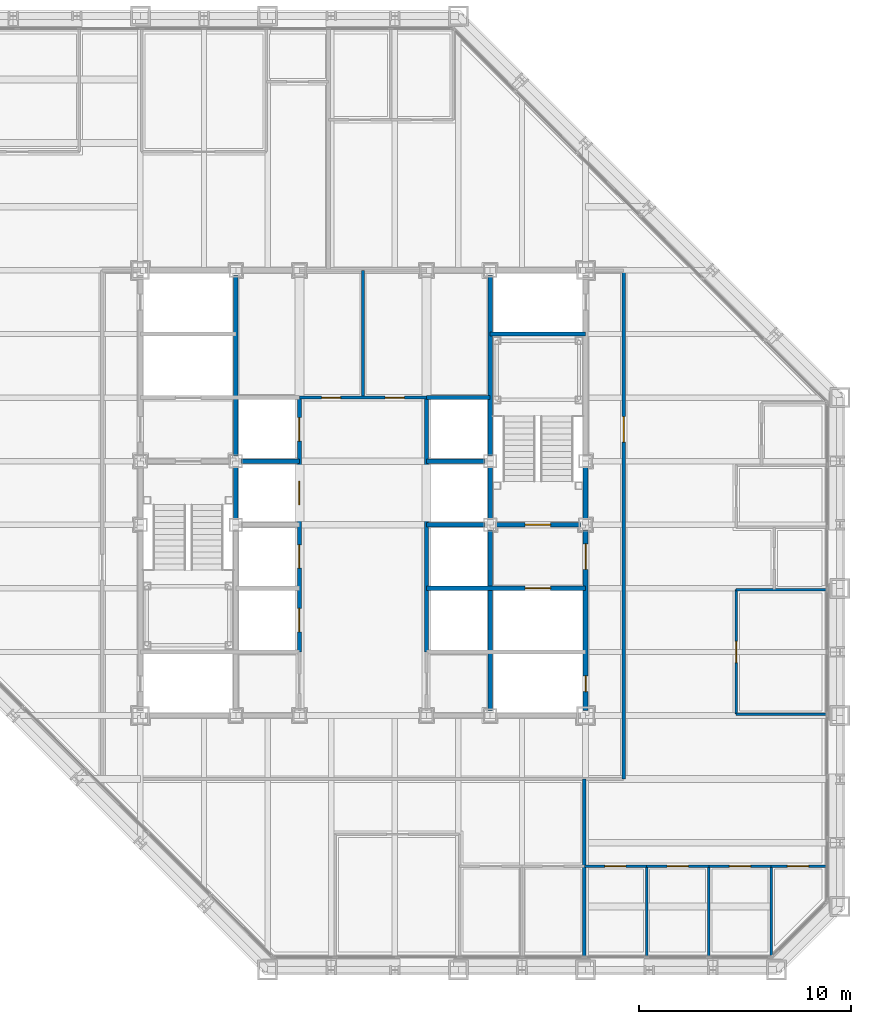
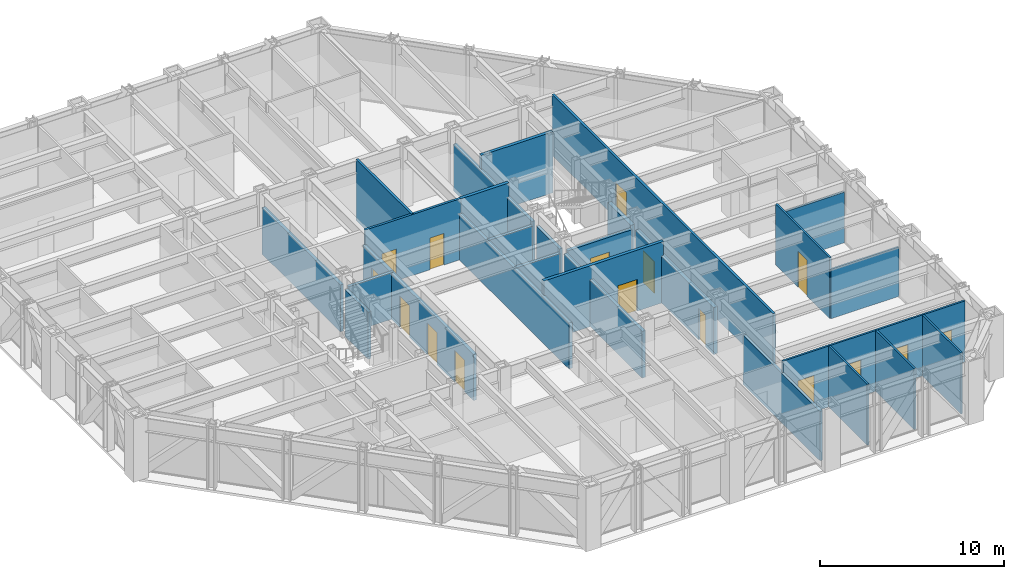
# One storey, part 11 of 16: 30 walls, 16 doors, 16 openings.
"""IFC4 building model written with IfcOpenShell, lengths in metres."""

from ifc_helpers import new_model, si_unit, direction, frame, frame_2d, origin, place, context, subcontext, project, spatial, rectangle, extrude, material, layer, layer_set, type_object, element, fill, save


model = new_model("IFC4")

# Units and contexts
model_context = context("Model", 3, precision=1e-05, world=origin(), true_north=direction((0.0, 1.0)))
body_context = subcontext(model_context, "Body", "Model", "MODEL_VIEW")
ifc_project = project(units=[si_unit("LENGTHUNIT", "METRE"), si_unit("AREAUNIT", "SQUARE_METRE"), si_unit("VOLUMEUNIT", "CUBIC_METRE"), si_unit("PLANEANGLEUNIT", "RADIAN"), si_unit("MASSUNIT", "GRAM", prefix="KILO")], contexts=[model_context])

# Site, building, storey
site_placement = place(None, origin())
site = spatial("IfcSite", under=ifc_project, at=site_placement, CompositionType="ELEMENT")
building_placement = place(site_placement, origin())
building = spatial("IfcBuilding", under=site, at=building_placement, Name="Chuquiago Exchange Tower", CompositionType="ELEMENT")
storey_placement = place(building_placement, frame((0.0, 0.0, 161.39990234375)))
storey = spatial("IfcBuildingStorey", under=building, at=storey_placement, Name="L35", CompositionType="ELEMENT", Elevation=161.39990234375)

# Wall, openings, doors
ifc_material_1 = material(Name="Concrete masonry, fully grouted", Category="masonry")
ifc_layer_1 = layer(ifc_material_1, 0.25)
ifc_layer_set_1 = layer_set([ifc_layer_1], Name="W1 core wall 250")
wall_type_1 = type_object("IfcWallType", Name="W1 core wall 250", PredefinedType="SOLIDWALL", material=ifc_layer_set_1)
wall_1_placement = place(storey_placement, frame((33.0, 12.25, 0.0), z_axis=(0.0, 0.0, 1.0), x_axis=(0.0, 1.0, 0.0)))
wall_1 = element("IfcWall", 1, at=wall_1_placement, inside=storey, type_object=wall_type_1, Name="CW-L35-25-0", PredefinedType="SOLIDWALL", context=body_context, shape_type="SweptSolid", body=[
    extrude(rectangle(XDim=8.5, YDim=0.25, at=frame_2d((4.25, 0.0))), origin(), (0.0, 0.0, 1.0), 3.113037109375),
])
opening_1_placement = place(wall_1_placement, frame((6.64990234375, 0.0, 0.0)))
opening_1 = element("IfcOpeningElement", 2, at=opening_1_placement, cuts=wall_1, Name="Opening L35-004", PredefinedType="OPENING", context=body_context, shape_type="SweptSolid", body=[
    extrude(rectangle(XDim=1.199951171875, YDim=2.10009765625, at=frame_2d((0.60009765625, 1.050048828125))), frame((0.0, 0.135009765625, 0.0), z_axis=(0.0, -1.0, 0.0), x_axis=(1.0, 0.0, 0.0)), (0.0, 0.0, 1.0), 0.27001953125),
])
opening_2_placement = place(wall_1_placement, frame((0.875, 0.0, 0.0)))
opening_2 = element("IfcOpeningElement", 3, at=opening_2_placement, cuts=wall_1, Name="Opening L35-009", PredefinedType="OPENING", context=body_context, shape_type="SweptSolid", body=[
    extrude(rectangle(XDim=0.75, YDim=2.10009765625, at=frame_2d((0.375, 1.050048828125))), frame((0.0, 0.135009765625, 0.0), z_axis=(0.0, -1.0, 0.0), x_axis=(1.0, 0.0, 0.0)), (0.0, 0.0, 1.0), 0.27001953125),
])
ifc_material_2 = material(Name="Steel door, painted", Category="steel")
door_type_1 = type_object("IfcDoorType", Name="D5 firefighting lobby door 1200x2100", OperationType="SINGLE_SWING_LEFT", PredefinedType="DOOR", material=ifc_material_2)
door_1_placement = place(opening_1_placement, origin())
door_1 = element("IfcDoor", 4, at=door_1_placement, inside=storey, type_object=door_type_1, Name="Firefighting lobby 2 door", OperationType="SINGLE_SWING_RIGHT", OverallHeight=2.10009765625, OverallWidth=1.199951171875, PredefinedType="DOOR", context=body_context, shape_type="SweptSolid", body=[
    extrude(rectangle(XDim=1.199951171875, YDim=2.10009765625, at=frame_2d((0.60009765625, 1.050048828125))), frame((0.0, 0.02490234375, 0.0), z_axis=(0.0, -1.0, 0.0), x_axis=(1.0, 0.0, 0.0)), (0.0, 0.0, 1.0), 0.050048828125),
])
fill(opening_1, door_1)
ifc_material_3 = material(Name="Steel door, painted", Category="steel")
door_type_2 = type_object("IfcDoorType", Name="D6 riser access door 750x2100", OperationType="SINGLE_SWING_LEFT", PredefinedType="DOOR", material=ifc_material_3)
door_2_placement = place(opening_2_placement, origin())
door_2 = element("IfcDoor", 5, at=door_2_placement, inside=storey, type_object=door_type_2, Name="Riser RE1 door", OperationType="SINGLE_SWING_LEFT", OverallHeight=2.10009765625, OverallWidth=0.75, PredefinedType="DOOR", context=body_context, shape_type="SweptSolid", body=[
    extrude(rectangle(XDim=0.75, YDim=2.10009765625, at=frame_2d((0.375, 1.050048828125))), frame((0.0, 0.02490234375, 0.0), z_axis=(0.0, -1.0, 0.0), x_axis=(1.0, 0.0, 0.0)), (0.0, 0.0, 1.0), 0.050048828125),
])
fill(opening_2, door_2)

# Wall
wall_2_placement = place(storey_placement, frame((33.0, 21.25, 0.0), z_axis=(0.0, 0.0, 1.0), x_axis=(0.0, 1.0, 0.0)))
element("IfcWall", 6, at=wall_2_placement, inside=storey, type_object=wall_type_1, Name="CW-L35-25-1", PredefinedType="SOLIDWALL", context=body_context, shape_type="SweptSolid", body=[
    extrude(rectangle(XDim=2.5, YDim=0.25, at=frame_2d((1.25, 0.0))), origin(), (0.0, 0.0, 1.0), 3.113037109375),
])

# Wall, opening, door
ifc_material_4 = material(Name="Gypsum board on steel studs, acoustic insulation", Category="steel")
ifc_layer_2 = layer(ifc_material_4, 0.14990234375)
ifc_layer_set_2 = layer_set([ifc_layer_2], Name="W11 corridor wall 150")
wall_type_2 = type_object("IfcWallType", Name="W11 corridor wall 150", PredefinedType="PARTITIONING", material=ifc_layer_set_2)
wall_3_placement = place(storey_placement, frame((34.800048828125, 9.0, 0.0), z_axis=(0.0, 0.0, 1.0), x_axis=(0.0, 1.0, 0.0)))
wall_3 = element("IfcWall", 7, at=wall_3_placement, inside=storey, type_object=wall_type_2, Name="PW-L35-CE", PredefinedType="PARTITIONING", context=body_context, shape_type="SweptSolid", body=[
    extrude(rectangle(XDim=24.0, YDim=0.14990234375, at=frame_2d((12.0, 0.0))), origin(), (0.0, 0.0, 1.0), 4.0400390625),
])
opening_3_placement = place(wall_3_placement, frame((15.89990234375, 0.0, 0.0)))
opening_3 = element("IfcOpeningElement", 8, at=opening_3_placement, cuts=wall_3, Name="Opening L35-041", PredefinedType="OPENING", context=body_context, shape_type="SweptSolid", body=[
    extrude(rectangle(XDim=1.199951171875, YDim=2.39990234375, at=frame_2d((0.60009765625, 1.199951171875))), frame((0.0, 0.0849609375, 0.0), z_axis=(0.0, -1.0, 0.0), x_axis=(1.0, 0.0, 0.0)), (0.0, 0.0, 1.0), 0.169921875),
])
ifc_material_5 = material(Name="Timber door, laminate faced", Category="wood")
door_type_3 = type_object("IfcDoorType", Name="D13 suite entrance door 1200x2400", OperationType="SINGLE_SWING_LEFT", PredefinedType="DOOR", material=ifc_material_5)
door_3_placement = place(opening_3_placement, frame((1.199951171875, 0.0, 0.0), z_axis=(0.0, 0.0, 1.0), x_axis=(-1.0, 0.0, 0.0)))
door_3 = element("IfcDoor", 9, at=door_3_placement, inside=storey, type_object=door_type_3, Name="East suite entrance door", OperationType="SINGLE_SWING_LEFT", OverallHeight=2.39990234375, OverallWidth=1.199951171875, PredefinedType="DOOR", context=body_context, shape_type="SweptSolid", body=[
    extrude(rectangle(XDim=1.199951171875, YDim=2.39990234375, at=frame_2d((0.60009765625, 1.199951171875))), frame((0.0, 0.02490234375, 0.0), z_axis=(0.0, -1.0, 0.0), x_axis=(1.0, 0.0, 0.0)), (0.0, 0.0, 1.0), 0.050048828125),
])
fill(opening_3, door_3)

# Walls
ifc_material_6 = material(Name="Gypsum board on twin steel studs, acoustic insulation", Category="steel")
ifc_layer_3 = layer(ifc_material_6, 0.175048828125)
ifc_layer_set_3 = layer_set([ifc_layer_3], Name="W12 tenant demising wall 175")
wall_type_3 = type_object("IfcWallType", Name="W12 tenant demising wall 175", PredefinedType="PARTITIONING", material=ifc_layer_set_3)
wall_4_placement = place(storey_placement, frame((32.93798828125, 0.652587890625, 0.0), z_axis=(0.0, 0.0, 1.0), x_axis=(0.0, 1.0, 0.0)))
element("IfcWall", 10, at=wall_4_placement, inside=storey, type_object=wall_type_3, Name="PW-L35-DS03294", PredefinedType="PARTITIONING", context=body_context, shape_type="SweptSolid", body=[
    extrude(rectangle(XDim=8.347412109375, YDim=0.175048828125, at=frame_2d((4.173828125, 0.0))), origin(), (0.0, 0.0, 1.0), 3.2705078125),
])
ifc_material_7 = material(Name="Concrete masonry, fully grouted", Category="masonry")
ifc_layer_4 = layer(ifc_material_7, 0.199951171875)
ifc_layer_set_4 = layer_set([ifc_layer_4], Name="W2 shaft wall 200")
wall_type_4 = type_object("IfcWallType", Name="W2 shaft wall 200", PredefinedType="SOLIDWALL", material=ifc_layer_set_4)
for number, where, z_axis, x_axis, name in (
    (11, (16.75, 24.0, 0.0), (0.0, 0.0, 1.0), (1.0, 0.0, 0.0), "CW-L35-05-1"),
    (12, (25.5, 24.0, 0.0), (0.0, 0.0, 1.0), (1.0, 0.0, 0.0), "CW-L35-06-0"),
):
    element("IfcWall", number, at=place(storey_placement, frame(where, z_axis=z_axis, x_axis=x_axis)), inside=storey, type_object=wall_type_4, Name=name, PredefinedType="SOLIDWALL", context=body_context, shape_type="SweptSolid", body=[
        extrude(rectangle(XDim=2.75, YDim=0.199951171875, at=frame_2d((1.375, 0.0))), origin(), (0.0, 0.0, 1.0), 3.090087890625),
    ])
wall_5_placement = place(storey_placement, frame((25.5, 27.0, 0.0), z_axis=(0.0, 0.0, 1.0), x_axis=(1.0, 0.0, 0.0)))
element("IfcWall", 13, at=wall_5_placement, inside=storey, type_object=wall_type_4, Name="CW-L35-08-0", PredefinedType="SOLIDWALL", context=body_context, shape_type="SweptSolid", body=[
    extrude(rectangle(XDim=3.0, YDim=0.199951171875, at=frame_2d((1.5, 0.0))), origin(), (0.0, 0.0, 1.0), 4.0400390625),
])
wall_6_placement = place(storey_placement, frame((28.5, 30.0, 0.0), z_axis=(0.0, 0.0, 1.0), x_axis=(1.0, 0.0, 0.0)))
element("IfcWall", 14, at=wall_6_placement, inside=storey, type_object=wall_type_4, Name="CW-L35-10-0", PredefinedType="SOLIDWALL", context=body_context, shape_type="SweptSolid", body=[
    extrude(rectangle(XDim=4.5, YDim=0.199951171875, at=frame_2d((2.25, 0.0))), origin(), (0.0, 0.0, 1.0), 4.0400390625),
])
wall_7_placement = place(storey_placement, frame((16.5, 21.25, 0.0), z_axis=(0.0, 0.0, 1.0), x_axis=(0.0, 1.0, 0.0)))
element("IfcWall", 15, at=wall_7_placement, inside=storey, type_object=wall_type_4, Name="CW-L35-13-1", PredefinedType="SOLIDWALL", context=body_context, shape_type="SweptSolid", body=[
    extrude(rectangle(XDim=2.5, YDim=0.199951171875, at=frame_2d((1.25, 0.0))), origin(), (0.0, 0.0, 1.0), 3.113037109375),
])
wall_8_placement = place(storey_placement, frame((16.5, 24.25, 0.0), z_axis=(0.0, 0.0, 1.0), x_axis=(0.0, 1.0, 0.0)))
element("IfcWall", 16, at=wall_8_placement, inside=storey, type_object=wall_type_4, Name="CW-L35-13-2", PredefinedType="SOLIDWALL", context=body_context, shape_type="SweptSolid", body=[
    extrude(rectangle(XDim=8.5, YDim=0.199951171875, at=frame_2d((4.25, 0.0))), origin(), (0.0, 0.0, 1.0), 3.113037109375),
])

# Wall, opening, door
wall_9_placement = place(storey_placement, frame((25.5, 18.0, 0.0), z_axis=(0.0, 0.0, 1.0), x_axis=(1.0, 0.0, 0.0)))
wall_9 = element("IfcWall", 17, at=wall_9_placement, inside=storey, type_object=wall_type_4, Name="CW-L35-15-0", PredefinedType="SOLIDWALL", context=body_context, shape_type="SweptSolid", body=[
    extrude(rectangle(XDim=7.5, YDim=0.199951171875, at=frame_2d((3.75, 0.0))), origin(), (0.0, 0.0, 1.0), 4.0400390625),
])
opening_4_placement = place(wall_9_placement, frame((4.64990234375, 0.0, 0.0)))
opening_4 = element("IfcOpeningElement", 18, at=opening_4_placement, cuts=wall_9, Name="Opening L35-006", PredefinedType="OPENING", context=body_context, shape_type="SweptSolid", body=[
    extrude(rectangle(XDim=1.199951171875, YDim=2.10009765625, at=frame_2d((0.60009765625, 1.050048828125))), frame((0.0, 0.10986328125, 0.0), z_axis=(0.0, -1.0, 0.0), x_axis=(1.0, 0.0, 0.0)), (0.0, 0.0, 1.0), 0.219970703125),
])
ifc_material_8 = material(Name="Stainless steel lift landing door", Category="steel")
door_type_4 = type_object("IfcDoorType", Name="LD2 firefighting lift landing door 1200x2100", OperationType="DOUBLE_DOOR_SLIDING", PredefinedType="DOOR", material=ifc_material_8)
door_4_placement = place(opening_4_placement, origin())
door_4 = element("IfcDoor", 19, at=door_4_placement, inside=storey, type_object=door_type_4, Name="Firefighting lift FL2 landing door", OperationType="DOUBLE_DOOR_SLIDING", OverallHeight=2.10009765625, OverallWidth=1.199951171875, PredefinedType="DOOR", context=body_context, shape_type="SweptSolid", body=[
    extrude(rectangle(XDim=1.199951171875, YDim=2.10009765625, at=frame_2d((0.60009765625, 1.050048828125))), frame((0.0, 0.02490234375, 0.0), z_axis=(0.0, -1.0, 0.0), x_axis=(1.0, 0.0, 0.0)), (0.0, 0.0, 1.0), 0.050048828125),
])
fill(opening_4, door_4)

# Wall
wall_10_placement = place(storey_placement, frame((25.5, 21.0, 0.0), z_axis=(0.0, 0.0, 1.0), x_axis=(1.0, 0.0, 0.0)))
element("IfcWall", 20, at=wall_10_placement, inside=storey, type_object=wall_type_4, Name="CW-L35-17-0", PredefinedType="SOLIDWALL", context=body_context, shape_type="SweptSolid", body=[
    extrude(rectangle(XDim=2.75, YDim=0.199951171875, at=frame_2d((1.375, 0.0))), origin(), (0.0, 0.0, 1.0), 3.090087890625),
])

# Wall, opening, door
wall_11_placement = place(storey_placement, frame((28.75, 21.0, 0.0), z_axis=(0.0, 0.0, 1.0), x_axis=(1.0, 0.0, 0.0)))
wall_11 = element("IfcWall", 21, at=wall_11_placement, inside=storey, type_object=wall_type_4, Name="CW-L35-17-1", PredefinedType="SOLIDWALL", context=body_context, shape_type="SweptSolid", body=[
    extrude(rectangle(XDim=4.0, YDim=0.199951171875, at=frame_2d((2.0, 0.0))), origin(), (0.0, 0.0, 1.0), 3.090087890625),
])
opening_5_placement = place(wall_11_placement, frame((1.39990234375, 0.0, 0.0)))
opening_5 = element("IfcOpeningElement", 22, at=opening_5_placement, cuts=wall_11, Name="Opening L35-003", PredefinedType="OPENING", context=body_context, shape_type="SweptSolid", body=[
    extrude(rectangle(XDim=1.199951171875, YDim=2.10009765625, at=frame_2d((0.60009765625, 1.050048828125))), frame((0.0, 0.10986328125, 0.0), z_axis=(0.0, -1.0, 0.0), x_axis=(1.0, 0.0, 0.0)), (0.0, 0.0, 1.0), 0.219970703125),
])
ifc_material_9 = material(Name="Steel door, painted", Category="steel")
door_type_5 = type_object("IfcDoorType", Name="D4 stair door 1200x2100", OperationType="SINGLE_SWING_LEFT", PredefinedType="DOOR", material=ifc_material_9)
door_5_placement = place(opening_5_placement, origin())
door_5 = element("IfcDoor", 23, at=door_5_placement, inside=storey, type_object=door_type_5, Name="Stair ST2 door", OperationType="SINGLE_SWING_LEFT", OverallHeight=2.10009765625, OverallWidth=1.199951171875, PredefinedType="DOOR", context=body_context, shape_type="SweptSolid", body=[
    extrude(rectangle(XDim=1.199951171875, YDim=2.10009765625, at=frame_2d((0.60009765625, 1.050048828125))), frame((0.0, 0.02490234375, 0.0), z_axis=(0.0, -1.0, 0.0), x_axis=(1.0, 0.0, 0.0)), (0.0, 0.0, 1.0), 0.050048828125),
])
fill(opening_5, door_5)

# Wall, openings, doors
wall_12_placement = place(storey_placement, frame((19.5, 15.0, 0.0), z_axis=(0.0, 0.0, 1.0), x_axis=(0.0, 1.0, 0.0)))
wall_12 = element("IfcWall", 24, at=wall_12_placement, inside=storey, type_object=wall_type_4, Name="CW-L35-19-0", PredefinedType="SOLIDWALL", context=body_context, shape_type="SweptSolid", body=[
    extrude(rectangle(XDim=12.0, YDim=0.199951171875, at=frame_2d((6.0, 0.0))), origin(), (0.0, 0.0, 1.0), 3.064697265625),
])
opening_6_placement = place(wall_12_placement, frame((0.949951171875, 0.0, 0.0)))
opening_6 = element("IfcOpeningElement", 25, at=opening_6_placement, cuts=wall_12, Name="Opening L35-015", PredefinedType="OPENING", context=body_context, shape_type="SweptSolid", body=[
    extrude(rectangle(XDim=1.10009765625, YDim=2.10009765625, at=frame_2d((0.550048828125, 1.050048828125))), frame((0.0, 0.10986328125, 0.0), z_axis=(0.0, -1.0, 0.0), x_axis=(1.0, 0.0, 0.0)), (0.0, 0.0, 1.0), 0.219970703125),
])
opening_7_placement = place(wall_12_placement, frame((3.949951171875, 0.0, 0.0)))
opening_7 = element("IfcOpeningElement", 26, at=opening_7_placement, cuts=wall_12, Name="Opening L35-016", PredefinedType="OPENING", context=body_context, shape_type="SweptSolid", body=[
    extrude(rectangle(XDim=1.10009765625, YDim=2.10009765625, at=frame_2d((0.550048828125, 1.050048828125))), frame((0.0, 0.10986328125, 0.0), z_axis=(0.0, -1.0, 0.0), x_axis=(1.0, 0.0, 0.0)), (0.0, 0.0, 1.0), 0.219970703125),
])
opening_8_placement = place(wall_12_placement, frame((6.949951171875, 0.0, 0.0)))
opening_8 = element("IfcOpeningElement", 27, at=opening_8_placement, cuts=wall_12, Name="Opening L35-017", PredefinedType="OPENING", context=body_context, shape_type="SweptSolid", body=[
    extrude(rectangle(XDim=1.10009765625, YDim=2.10009765625, at=frame_2d((0.550048828125, 1.050048828125))), frame((0.0, 0.10986328125, 0.0), z_axis=(0.0, -1.0, 0.0), x_axis=(1.0, 0.0, 0.0)), (0.0, 0.0, 1.0), 0.219970703125),
])
opening_9_placement = place(wall_12_placement, frame((9.949951171875, 0.0, 0.0)))
opening_9 = element("IfcOpeningElement", 28, at=opening_9_placement, cuts=wall_12, Name="Opening L35-018", PredefinedType="OPENING", context=body_context, shape_type="SweptSolid", body=[
    extrude(rectangle(XDim=1.10009765625, YDim=2.10009765625, at=frame_2d((0.550048828125, 1.050048828125))), frame((0.0, 0.10986328125, 0.0), z_axis=(0.0, -1.0, 0.0), x_axis=(1.0, 0.0, 0.0)), (0.0, 0.0, 1.0), 0.219970703125),
])
ifc_material_10 = material(Name="Stainless steel lift landing door", Category="steel")
door_type_6 = type_object("IfcDoorType", Name="LD1 lift landing door 1100x2100", OperationType="DOUBLE_DOOR_SLIDING", PredefinedType="DOOR", material=ifc_material_10)
door_6_placement = place(opening_6_placement, origin())
door_6 = element("IfcDoor", 29, at=door_6_placement, inside=storey, type_object=door_type_6, Name="Lift LB1 landing door", OperationType="DOUBLE_DOOR_SLIDING", OverallHeight=2.10009765625, OverallWidth=1.10009765625, PredefinedType="DOOR", context=body_context, shape_type="SweptSolid", body=[
    extrude(rectangle(XDim=1.10009765625, YDim=2.10009765625, at=frame_2d((0.550048828125, 1.050048828125))), frame((0.0, 0.02490234375, 0.0), z_axis=(0.0, -1.0, 0.0), x_axis=(1.0, 0.0, 0.0)), (0.0, 0.0, 1.0), 0.050048828125),
])
fill(opening_6, door_6)
door_7_placement = place(opening_7_placement, origin())
door_7 = element("IfcDoor", 30, at=door_7_placement, inside=storey, type_object=door_type_6, Name="Lift LB2 landing door", OperationType="DOUBLE_DOOR_SLIDING", OverallHeight=2.10009765625, OverallWidth=1.10009765625, PredefinedType="DOOR", context=body_context, shape_type="SweptSolid", body=[
    extrude(rectangle(XDim=1.10009765625, YDim=2.10009765625, at=frame_2d((0.550048828125, 1.050048828125))), frame((0.0, 0.02490234375, 0.0), z_axis=(0.0, -1.0, 0.0), x_axis=(1.0, 0.0, 0.0)), (0.0, 0.0, 1.0), 0.050048828125),
])
fill(opening_7, door_7)
door_8_placement = place(opening_8_placement, origin())
door_8 = element("IfcDoor", 31, at=door_8_placement, inside=storey, type_object=door_type_6, Name="Lift LB3 landing door", OperationType="DOUBLE_DOOR_SLIDING", OverallHeight=2.10009765625, OverallWidth=1.10009765625, PredefinedType="DOOR", context=body_context, shape_type="SweptSolid", body=[
    extrude(rectangle(XDim=1.10009765625, YDim=2.10009765625, at=frame_2d((0.550048828125, 1.050048828125))), frame((0.0, 0.02490234375, 0.0), z_axis=(0.0, -1.0, 0.0), x_axis=(1.0, 0.0, 0.0)), (0.0, 0.0, 1.0), 0.050048828125),
])
fill(opening_8, door_8)
door_9_placement = place(opening_9_placement, origin())
door_9 = element("IfcDoor", 32, at=door_9_placement, inside=storey, type_object=door_type_6, Name="Lift LB4 landing door", OperationType="DOUBLE_DOOR_SLIDING", OverallHeight=2.10009765625, OverallWidth=1.10009765625, PredefinedType="DOOR", context=body_context, shape_type="SweptSolid", body=[
    extrude(rectangle(XDim=1.10009765625, YDim=2.10009765625, at=frame_2d((0.550048828125, 1.050048828125))), frame((0.0, 0.02490234375, 0.0), z_axis=(0.0, -1.0, 0.0), x_axis=(1.0, 0.0, 0.0)), (0.0, 0.0, 1.0), 0.050048828125),
])
fill(opening_9, door_9)

# Walls
wall_13_placement = place(storey_placement, frame((25.5, 15.0, 0.0), z_axis=(0.0, 0.0, 1.0), x_axis=(0.0, 1.0, 0.0)))
element("IfcWall", 33, at=wall_13_placement, inside=storey, type_object=wall_type_4, Name="CW-L35-22-0", PredefinedType="SOLIDWALL", context=body_context, shape_type="SweptSolid", body=[
    extrude(rectangle(XDim=12.0, YDim=0.199951171875, at=frame_2d((6.0, 0.0))), origin(), (0.0, 0.0, 1.0), 3.064697265625),
])
wall_14_placement = place(storey_placement, frame((28.5, 12.25, 0.0), z_axis=(0.0, 0.0, 1.0), x_axis=(0.0, 1.0, 0.0)))
element("IfcWall", 34, at=wall_14_placement, inside=storey, type_object=wall_type_4, Name="CW-L35-24-0", PredefinedType="SOLIDWALL", context=body_context, shape_type="SweptSolid", body=[
    extrude(rectangle(XDim=8.5, YDim=0.199951171875, at=frame_2d((4.25, 0.0))), origin(), (0.0, 0.0, 1.0), 3.113037109375),
])
wall_15_placement = place(storey_placement, frame((28.5, 21.25, 0.0), z_axis=(0.0, 0.0, 1.0), x_axis=(0.0, 1.0, 0.0)))
element("IfcWall", 35, at=wall_15_placement, inside=storey, type_object=wall_type_4, Name="CW-L35-24-1", PredefinedType="SOLIDWALL", context=body_context, shape_type="SweptSolid", body=[
    extrude(rectangle(XDim=2.5, YDim=0.199951171875, at=frame_2d((1.25, 0.0))), origin(), (0.0, 0.0, 1.0), 3.113037109375),
])
wall_16_placement = place(storey_placement, frame((28.5, 24.25, 0.0), z_axis=(0.0, 0.0, 1.0), x_axis=(0.0, 1.0, 0.0)))
element("IfcWall", 36, at=wall_16_placement, inside=storey, type_object=wall_type_4, Name="CW-L35-24-2", PredefinedType="SOLIDWALL", context=body_context, shape_type="SweptSolid", body=[
    extrude(rectangle(XDim=8.5, YDim=0.199951171875, at=frame_2d((4.25, 0.0))), origin(), (0.0, 0.0, 1.0), 3.113037109375),
])

# Wall, openings, doors
ifc_material_11 = material(Name="Gypsum board on steel studs", Category="steel")
ifc_layer_5 = layer(ifc_material_11, 0.14990234375)
ifc_layer_set_5 = layer_set([ifc_layer_5], Name="W3 core partition 150")
wall_type_5 = type_object("IfcWallType", Name="W3 core partition 150", PredefinedType="PARTITIONING", material=ifc_layer_set_5)
wall_17_placement = place(storey_placement, frame((19.5, 27.0, 0.0), z_axis=(0.0, 0.0, 1.0), x_axis=(1.0, 0.0, 0.0)))
wall_17 = element("IfcWall", 37, at=wall_17_placement, inside=storey, type_object=wall_type_5, Name="CW-L35-TF", PredefinedType="PARTITIONING", context=body_context, shape_type="SweptSolid", body=[
    extrude(rectangle(XDim=6.0, YDim=0.14990234375, at=frame_2d((3.0, 0.0))), origin(), (0.0, 0.0, 1.0), 4.0400390625),
])
opening_10_placement = place(wall_17_placement, frame((1.050048828125, 0.0, 0.0)))
opening_10 = element("IfcOpeningElement", 38, at=opening_10_placement, cuts=wall_17, Name="Opening L35-011", PredefinedType="OPENING", context=body_context, shape_type="SweptSolid", body=[
    extrude(rectangle(XDim=0.89990234375, YDim=2.10009765625, at=frame_2d((0.449951171875, 1.050048828125))), frame((0.0, 0.0849609375, 0.0), z_axis=(0.0, -1.0, 0.0), x_axis=(1.0, 0.0, 0.0)), (0.0, 0.0, 1.0), 0.169921875),
])
opening_11_placement = place(wall_17_placement, frame((4.050048828125, 0.0, 0.0)))
opening_11 = element("IfcOpeningElement", 39, at=opening_11_placement, cuts=wall_17, Name="Opening L35-012", PredefinedType="OPENING", context=body_context, shape_type="SweptSolid", body=[
    extrude(rectangle(XDim=0.89990234375, YDim=2.10009765625, at=frame_2d((0.449951171875, 1.050048828125))), frame((0.0, 0.0849609375, 0.0), z_axis=(0.0, -1.0, 0.0), x_axis=(1.0, 0.0, 0.0)), (0.0, 0.0, 1.0), 0.169921875),
])
ifc_material_12 = material(Name="Timber door, laminate faced", Category="wood")
door_type_7 = type_object("IfcDoorType", Name="D7 toilet door 900x2100", OperationType="SINGLE_SWING_LEFT", PredefinedType="DOOR", material=ifc_material_12)
door_10_placement = place(opening_10_placement, origin())
door_10 = element("IfcDoor", 40, at=door_10_placement, inside=storey, type_object=door_type_7, Name="Male WC door", OperationType="SINGLE_SWING_RIGHT", OverallHeight=2.10009765625, OverallWidth=0.89990234375, PredefinedType="DOOR", context=body_context, shape_type="SweptSolid", body=[
    extrude(rectangle(XDim=0.89990234375, YDim=2.10009765625, at=frame_2d((0.449951171875, 1.050048828125))), frame((0.0, 0.02490234375, 0.0), z_axis=(0.0, -1.0, 0.0), x_axis=(1.0, 0.0, 0.0)), (0.0, 0.0, 1.0), 0.050048828125),
])
fill(opening_10, door_10)
door_11_placement = place(opening_11_placement, origin())
door_11 = element("IfcDoor", 41, at=door_11_placement, inside=storey, type_object=door_type_7, Name="Female WC door", OperationType="SINGLE_SWING_LEFT", OverallHeight=2.10009765625, OverallWidth=0.89990234375, PredefinedType="DOOR", context=body_context, shape_type="SweptSolid", body=[
    extrude(rectangle(XDim=0.89990234375, YDim=2.10009765625, at=frame_2d((0.449951171875, 1.050048828125))), frame((0.0, 0.02490234375, 0.0), z_axis=(0.0, -1.0, 0.0), x_axis=(1.0, 0.0, 0.0)), (0.0, 0.0, 1.0), 0.050048828125),
])
fill(opening_11, door_11)

# Walls
wall_18_placement = place(storey_placement, frame((22.5, 27.0, 0.0), z_axis=(0.0, 0.0, 1.0), x_axis=(0.0, 1.0, 0.0)))
element("IfcWall", 42, at=wall_18_placement, inside=storey, type_object=wall_type_5, Name="CW-L35-TM", PredefinedType="PARTITIONING", context=body_context, shape_type="SweptSolid", body=[
    extrude(rectangle(XDim=6.0, YDim=0.14990234375, at=frame_2d((3.0, 0.0))), origin(), (0.0, 0.0, 1.0), 4.0400390625),
])
ifc_material_13 = material(Name="Gypsum board on steel studs", Category="steel")
ifc_layer_6 = layer(ifc_material_13, 0.1201171875)
ifc_layer_set_6 = layer_set([ifc_layer_6], Name="W4 partition 120")
wall_type_6 = type_object("IfcWallType", Name="W4 partition 120", PredefinedType="PARTITIONING", material=ifc_layer_set_6)
for number, where, z_axis, x_axis, name in (
    (43, (35.875732421875, 0.652587890625, 0.0), (0.0, 0.0, 1.0), (0.0, 1.0, 0.0), "PW-L35-S03588"),
    (44, (38.813720703125, 0.652587890625, 0.0), (0.0, 0.0, 1.0), (0.0, 1.0, 0.0), "PW-L35-S03881"),
):
    element("IfcWall", number, at=place(storey_placement, frame(where, z_axis=z_axis, x_axis=x_axis)), inside=storey, type_object=wall_type_6, Name=name, PredefinedType="PARTITIONING", context=body_context, shape_type="SweptSolid", body=[
        extrude(rectangle(XDim=4.247314453125, YDim=0.1201171875, at=frame_2d((2.12353515625, 0.0))), origin(), (0.0, 0.0, 1.0), 4.0400390625),
    ])
wall_19_placement = place(storey_placement, frame((41.75146484375, 0.666015625, 0.0), z_axis=(0.0, 0.0, 1.0), x_axis=(0.0, 1.0, 0.0)))
element("IfcWall", 45, at=wall_19_placement, inside=storey, type_object=wall_type_6, Name="PW-L35-S04175", PredefinedType="PARTITIONING", context=body_context, shape_type="SweptSolid", body=[
    extrude(rectangle(XDim=4.23388671875, YDim=0.1201171875, at=frame_2d((2.116943359375, 0.0))), origin(), (0.0, 0.0, 1.0), 4.0400390625),
])

# Wall, opening, door
wall_20_placement = place(storey_placement, frame((32.93798828125, 4.89990234375, 0.0), z_axis=(0.0, 0.0, 1.0), x_axis=(1.0, 0.0, 0.0)))
wall_20 = element("IfcWall", 46, at=wall_20_placement, inside=storey, type_object=wall_type_6, Name="PW-L35-SF03294", PredefinedType="PARTITIONING", context=body_context, shape_type="SweptSolid", body=[
    extrude(rectangle(XDim=2.937744140625, YDim=0.1201171875, at=frame_2d((1.46875, 0.0))), origin(), (0.0, 0.0, 1.0), 4.0400390625),
])
opening_12_placement = place(wall_20_placement, frame((0.968994140625, 0.0, 0.0)))
opening_12 = element("IfcOpeningElement", 47, at=opening_12_placement, cuts=wall_20, Name="Opening L35-022", PredefinedType="OPENING", context=body_context, shape_type="SweptSolid", body=[
    extrude(rectangle(XDim=1.0, YDim=2.39990234375, at=frame_2d((0.5, 1.199951171875))), frame((0.0, 0.070068359375, 0.0), z_axis=(0.0, -1.0, 0.0), x_axis=(1.0, 0.0, 0.0)), (0.0, 0.0, 1.0), 0.14013671875),
])
ifc_material_14 = material(Name="Timber door, laminate faced", Category="wood")
door_type_8 = type_object("IfcDoorType", Name="D9 room door 1000x2400", OperationType="SINGLE_SWING_LEFT", PredefinedType="DOOR", material=ifc_material_14)
door_12_placement = place(opening_12_placement, frame((1.0, 0.0, 0.0), z_axis=(0.0, 0.0, 1.0), x_axis=(-1.0, 0.0, 0.0)))
door_12 = element("IfcDoor", 48, at=door_12_placement, inside=storey, type_object=door_type_8, Name="Office door", OperationType="SINGLE_SWING_RIGHT", OverallHeight=2.39990234375, OverallWidth=1.0, PredefinedType="DOOR", context=body_context, shape_type="SweptSolid", body=[
    extrude(rectangle(XDim=1.0, YDim=2.39990234375, at=frame_2d((0.5, 1.199951171875))), frame((0.0, 0.02490234375, 0.0), z_axis=(0.0, -1.0, 0.0), x_axis=(1.0, 0.0, 0.0)), (0.0, 0.0, 1.0), 0.050048828125),
])
fill(opening_12, door_12)

wall_21_placement = place(storey_placement, frame((35.875732421875, 4.89990234375, 0.0), z_axis=(0.0, 0.0, 1.0), x_axis=(1.0, 0.0, 0.0)))
wall_21 = element("IfcWall", 49, at=wall_21_placement, inside=storey, type_object=wall_type_6, Name="PW-L35-SF03588", PredefinedType="PARTITIONING", context=body_context, shape_type="SweptSolid", body=[
    extrude(rectangle(XDim=2.93798828125, YDim=0.1201171875, at=frame_2d((1.468994140625, 0.0))), origin(), (0.0, 0.0, 1.0), 4.0400390625),
])
opening_13_placement = place(wall_21_placement, frame((0.968994140625, 0.0, 0.0)))
opening_13 = element("IfcOpeningElement", 50, at=opening_13_placement, cuts=wall_21, Name="Opening L35-023", PredefinedType="OPENING", context=body_context, shape_type="SweptSolid", body=[
    extrude(rectangle(XDim=1.0, YDim=2.39990234375, at=frame_2d((0.5, 1.199951171875))), frame((0.0, 0.070068359375, 0.0), z_axis=(0.0, -1.0, 0.0), x_axis=(1.0, 0.0, 0.0)), (0.0, 0.0, 1.0), 0.14013671875),
])
door_13_placement = place(opening_13_placement, frame((1.0, 0.0, 0.0), z_axis=(0.0, 0.0, 1.0), x_axis=(-1.0, 0.0, 0.0)))
door_13 = element("IfcDoor", 51, at=door_13_placement, inside=storey, type_object=door_type_8, Name="Office door", OperationType="SINGLE_SWING_RIGHT", OverallHeight=2.39990234375, OverallWidth=1.0, PredefinedType="DOOR", context=body_context, shape_type="SweptSolid", body=[
    extrude(rectangle(XDim=1.0, YDim=2.39990234375, at=frame_2d((0.5, 1.199951171875))), frame((0.0, 0.02490234375, 0.0), z_axis=(0.0, -1.0, 0.0), x_axis=(1.0, 0.0, 0.0)), (0.0, 0.0, 1.0), 0.050048828125),
])
fill(opening_13, door_13)

wall_22_placement = place(storey_placement, frame((38.813720703125, 4.89990234375, 0.0), z_axis=(0.0, 0.0, 1.0), x_axis=(1.0, 0.0, 0.0)))
wall_22 = element("IfcWall", 52, at=wall_22_placement, inside=storey, type_object=wall_type_6, Name="PW-L35-SF03881", PredefinedType="PARTITIONING", context=body_context, shape_type="SweptSolid", body=[
    extrude(rectangle(XDim=2.937744140625, YDim=0.1201171875, at=frame_2d((1.46875, 0.0))), origin(), (0.0, 0.0, 1.0), 4.0400390625),
])
opening_14_placement = place(wall_22_placement, frame((0.968994140625, 0.0, 0.0)))
opening_14 = element("IfcOpeningElement", 53, at=opening_14_placement, cuts=wall_22, Name="Opening L35-024", PredefinedType="OPENING", context=body_context, shape_type="SweptSolid", body=[
    extrude(rectangle(XDim=1.0, YDim=2.39990234375, at=frame_2d((0.5, 1.199951171875))), frame((0.0, 0.070068359375, 0.0), z_axis=(0.0, -1.0, 0.0), x_axis=(1.0, 0.0, 0.0)), (0.0, 0.0, 1.0), 0.14013671875),
])
door_14_placement = place(opening_14_placement, frame((1.0, 0.0, 0.0), z_axis=(0.0, 0.0, 1.0), x_axis=(-1.0, 0.0, 0.0)))
door_14 = element("IfcDoor", 54, at=door_14_placement, inside=storey, type_object=door_type_8, Name="Office door", OperationType="SINGLE_SWING_RIGHT", OverallHeight=2.39990234375, OverallWidth=1.0, PredefinedType="DOOR", context=body_context, shape_type="SweptSolid", body=[
    extrude(rectangle(XDim=1.0, YDim=2.39990234375, at=frame_2d((0.5, 1.199951171875))), frame((0.0, 0.02490234375, 0.0), z_axis=(0.0, -1.0, 0.0), x_axis=(1.0, 0.0, 0.0)), (0.0, 0.0, 1.0), 0.050048828125),
])
fill(opening_14, door_14)

wall_23_placement = place(storey_placement, frame((41.75146484375, 4.89990234375, 0.0), z_axis=(0.0, 0.0, 1.0), x_axis=(1.0, 0.0, 0.0)))
wall_23 = element("IfcWall", 55, at=wall_23_placement, inside=storey, type_object=wall_type_6, Name="PW-L35-SF04175", PredefinedType="PARTITIONING", context=body_context, shape_type="SweptSolid", body=[
    extrude(rectangle(XDim=2.616455078125, YDim=0.1201171875, at=frame_2d((1.30810546875, 0.0))), origin(), (0.0, 0.0, 1.0), 4.0400390625),
])
opening_15_placement = place(wall_23_placement, frame((0.774169921875, 0.0, 0.0)))
opening_15 = element("IfcOpeningElement", 56, at=opening_15_placement, cuts=wall_23, Name="Opening L35-025", PredefinedType="OPENING", context=body_context, shape_type="SweptSolid", body=[
    extrude(rectangle(XDim=1.0, YDim=2.39990234375, at=frame_2d((0.5, 1.199951171875))), frame((0.0, 0.070068359375, 0.0), z_axis=(0.0, -1.0, 0.0), x_axis=(1.0, 0.0, 0.0)), (0.0, 0.0, 1.0), 0.14013671875),
])
ifc_material_15 = material(Name="Timber frame door, full height glazed panel", Category="wood")
door_type_9 = type_object("IfcDoorType", Name="D14 glazed meeting room door 1000x2400", OperationType="SINGLE_SWING_LEFT", PredefinedType="DOOR", material=ifc_material_15)
door_15_placement = place(opening_15_placement, frame((1.0, 0.0, 0.0), z_axis=(0.0, 0.0, 1.0), x_axis=(-1.0, 0.0, 0.0)))
door_15 = element("IfcDoor", 57, at=door_15_placement, inside=storey, type_object=door_type_9, Name="Meeting room door", OperationType="SINGLE_SWING_RIGHT", OverallHeight=2.39990234375, OverallWidth=1.0, PredefinedType="DOOR", context=body_context, shape_type="SweptSolid", body=[
    extrude(rectangle(XDim=1.0, YDim=2.39990234375, at=frame_2d((0.5, 1.199951171875))), frame((0.0, 0.02490234375, 0.0), z_axis=(0.0, -1.0, 0.0), x_axis=(1.0, 0.0, 0.0)), (0.0, 0.0, 1.0), 0.050048828125),
])
fill(opening_15, door_15)

# Walls
wall_24_placement = place(storey_placement, frame((44.347412109375, 12.06201171875, 0.0), z_axis=(0.0, 0.0, 1.0), x_axis=(-1.0, 0.0, 0.0)))
element("IfcWall", 58, at=wall_24_placement, inside=storey, type_object=wall_type_6, Name="PW-L35-E01206", PredefinedType="PARTITIONING", context=body_context, shape_type="SweptSolid", body=[
    extrude(rectangle(XDim=4.247314453125, YDim=0.1201171875, at=frame_2d((2.12353515625, 0.0))), origin(), (0.0, 0.0, 1.0), 3.2705078125),
])
wall_25_placement = place(storey_placement, frame((44.347412109375, 17.93798828125, 0.0), z_axis=(0.0, 0.0, 1.0), x_axis=(-1.0, 0.0, 0.0)))
element("IfcWall", 59, at=wall_25_placement, inside=storey, type_object=wall_type_6, Name="PW-L35-E01794", PredefinedType="PARTITIONING", context=body_context, shape_type="SweptSolid", body=[
    extrude(rectangle(XDim=4.247314453125, YDim=0.1201171875, at=frame_2d((2.12353515625, 0.0))), origin(), (0.0, 0.0, 1.0), 3.35693359375),
])

# Wall, opening, door
wall_26_placement = place(storey_placement, frame((40.10009765625, 12.06201171875, 0.0), z_axis=(0.0, 0.0, 1.0), x_axis=(0.0, 1.0, 0.0)))
wall_26 = element("IfcWall", 60, at=wall_26_placement, inside=storey, type_object=wall_type_6, Name="PW-L35-EF01206", PredefinedType="PARTITIONING", context=body_context, shape_type="SweptSolid", body=[
    extrude(rectangle(XDim=5.8759765625, YDim=0.1201171875, at=frame_2d((2.93798828125, 0.0))), origin(), (0.0, 0.0, 1.0), 4.0400390625),
])
opening_16_placement = place(wall_26_placement, frame((2.43798828125, 0.0, 0.0)))
opening_16 = element("IfcOpeningElement", 61, at=opening_16_placement, cuts=wall_26, Name="Opening L35-026", PredefinedType="OPENING", context=body_context, shape_type="SweptSolid", body=[
    extrude(rectangle(XDim=1.0, YDim=2.39990234375, at=frame_2d((0.5, 1.199951171875))), frame((0.0, 0.070068359375, 0.0), z_axis=(0.0, -1.0, 0.0), x_axis=(1.0, 0.0, 0.0)), (0.0, 0.0, 1.0), 0.14013671875),
])
door_16_placement = place(opening_16_placement, frame((1.0, 0.0, 0.0), z_axis=(0.0, 0.0, 1.0), x_axis=(-1.0, 0.0, 0.0)))
door_16 = element("IfcDoor", 62, at=door_16_placement, inside=storey, type_object=door_type_9, Name="Meeting room door", OperationType="SINGLE_SWING_RIGHT", OverallHeight=2.39990234375, OverallWidth=1.0, PredefinedType="DOOR", context=body_context, shape_type="SweptSolid", body=[
    extrude(rectangle(XDim=1.0, YDim=2.39990234375, at=frame_2d((0.5, 1.199951171875))), frame((0.0, 0.02490234375, 0.0), z_axis=(0.0, -1.0, 0.0), x_axis=(1.0, 0.0, 0.0)), (0.0, 0.0, 1.0), 0.050048828125),
])
fill(opening_16, door_16)

save(model, "model.ifc")
